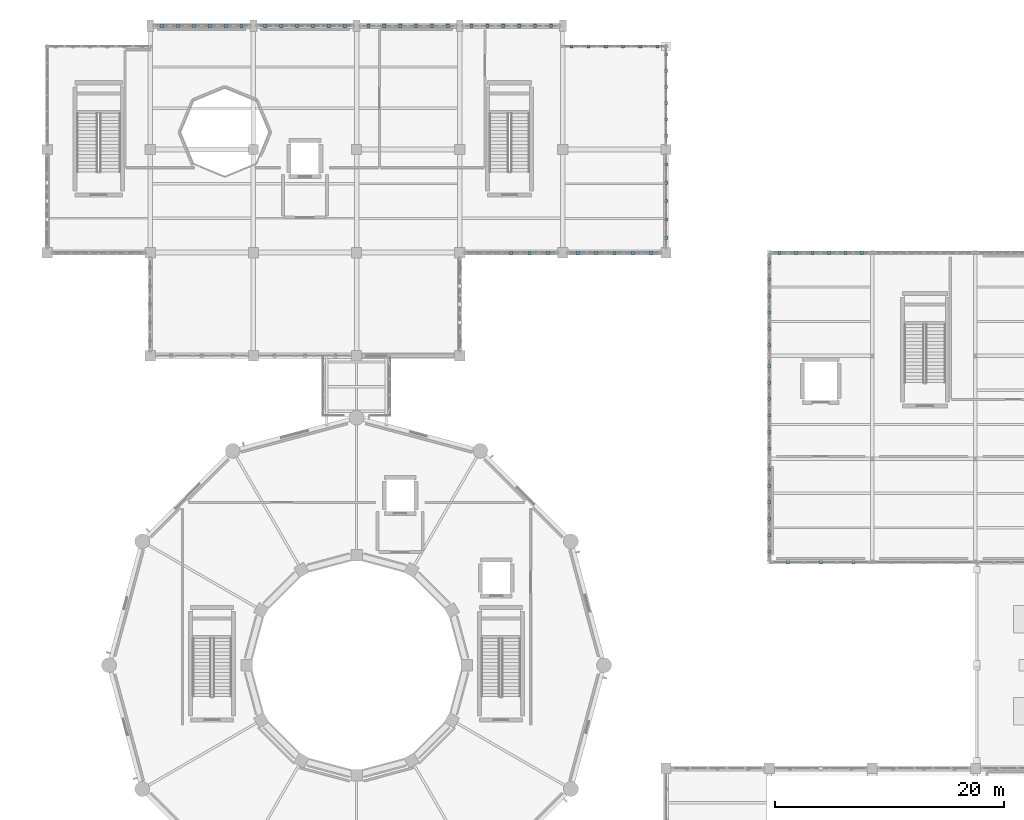
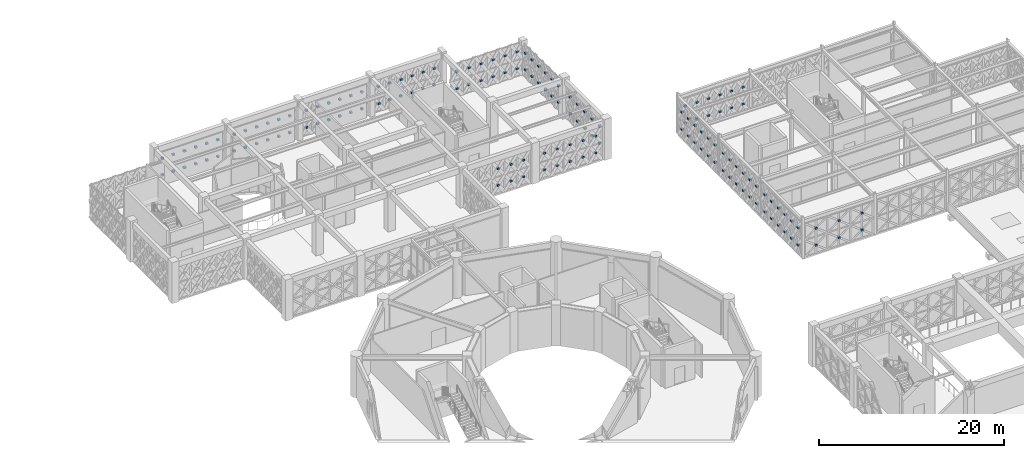
# One storey, part 143 of 155: 152 discrete accessories.
"""IFC4 building model written with IfcOpenShell, lengths in metres."""

from ifc_helpers import new_model, si_unit, direction, frame, origin, origin_2d, place, context, subcontext, project, spatial, rectangle, extrude, material, type_object, element, save


model = new_model("IFC4")

# Units and contexts
model_context = context("Model", 3, precision=1e-05, world=origin(), true_north=direction((0.0, 1.0)))
body_context = subcontext(model_context, "Body", "Model", "MODEL_VIEW")
ifc_project = project(units=[si_unit("LENGTHUNIT", "METRE"), si_unit("AREAUNIT", "SQUARE_METRE"), si_unit("VOLUMEUNIT", "CUBIC_METRE"), si_unit("PLANEANGLEUNIT", "RADIAN"), si_unit("MASSUNIT", "GRAM", prefix="KILO")], contexts=[model_context])

# Site, building, storey
site_placement = place(None, origin())
site = spatial("IfcSite", under=ifc_project, at=site_placement, CompositionType="ELEMENT")
building_placement = place(site_placement, origin())
building = spatial("IfcBuilding", under=site, at=building_placement, Name="Haizhuo Lancet Aquarium", CompositionType="ELEMENT")
storey_placement = place(building_placement, frame((0.0, 0.0, 10.800048828125)))
storey = spatial("IfcBuildingStorey", under=building, at=storey_placement, Name="L02", CompositionType="ELEMENT", Elevation=10.800048828125)

# Discrete accessories
ifc_material = material(Name="Steel S355", Category="steel")
discrete_accessory_type = type_object("IfcDiscreteAccessoryType", Name="ACC-END-CAP", PredefinedType="BRACKET", material=ifc_material)
for number, where, z_axis, x_axis, name in (
    (1, (-16.9619140625, 55.800048828125, 0.98193359375), (0.0, 0.0, 1.0), (1.0, 0.0, 0.0), "L02 X-brace crossing gusset plate XN-CW-V5-L02-147-LB01B1"),
    (2, (-16.9619140625, 55.800048828125, 3.18798828125), (0.0, 0.0, 1.0), (1.0, 0.0, 0.0), "L02 X-brace crossing gusset plate XN-CW-V5-L02-147-LB02B1"),
    (3, (-15.577880859375, 55.800048828125, 0.98193359375), (0.0, 0.0, 1.0), (1.0, 0.0, 0.0), "L02 X-brace crossing gusset plate XN-CW-V5-L02-147-LB03B1"),
    (4, (-15.577880859375, 55.800048828125, 3.18798828125), (0.0, 0.0, 1.0), (1.0, 0.0, 0.0), "L02 X-brace crossing gusset plate XN-CW-V5-L02-147-LB04B1"),
    (5, (-14.19189453125, 55.800048828125, 0.98193359375), (0.0, 0.0, 1.0), (1.0, 0.0, 0.0), "L02 X-brace crossing gusset plate XN-CW-V5-L02-147-LB05B1"),
    (6, (-14.19189453125, 55.800048828125, 3.18798828125), (0.0, 0.0, 1.0), (1.0, 0.0, 0.0), "L02 X-brace crossing gusset plate XN-CW-V5-L02-147-LB06B1"),
    (7, (-12.80810546875, 55.800048828125, 0.98193359375), (0.0, 0.0, 1.0), (1.0, 0.0, 0.0), "L02 X-brace crossing gusset plate XN-CW-V5-L02-147-LB07B1"),
    (8, (-12.80810546875, 55.800048828125, 3.18798828125), (0.0, 0.0, 1.0), (1.0, 0.0, 0.0), "L02 X-brace crossing gusset plate XN-CW-V5-L02-147-LB08B1"),
    (9, (-11.422119140625, 55.800048828125, 0.98193359375), (0.0, 0.0, 1.0), (1.0, 0.0, 0.0), "L02 X-brace crossing gusset plate XN-CW-V5-L02-147-LB09B1"),
    (10, (-11.422119140625, 55.800048828125, 3.18798828125), (0.0, 0.0, 1.0), (1.0, 0.0, 0.0), "L02 X-brace crossing gusset plate XN-CW-V5-L02-147-LB10B1"),
    (11, (-10.0380859375, 55.800048828125, 0.98193359375), (0.0, 0.0, 1.0), (1.0, 0.0, 0.0), "L02 X-brace crossing gusset plate XN-CW-V5-L02-147-LB11B1"),
    (12, (-10.0380859375, 55.800048828125, 3.18798828125), (0.0, 0.0, 1.0), (1.0, 0.0, 0.0), "L02 X-brace crossing gusset plate XN-CW-V5-L02-147-LB12B1"),
    (13, (-7.9619140625, 55.800048828125, 0.98193359375), (0.0, 0.0, 1.0), (1.0, 0.0, 0.0), "L02 X-brace crossing gusset plate XN-CW-V5-L02-148-LB01B1"),
    (14, (-7.9619140625, 55.800048828125, 3.18798828125), (0.0, 0.0, 1.0), (1.0, 0.0, 0.0), "L02 X-brace crossing gusset plate XN-CW-V5-L02-148-LB02B1"),
    (15, (-6.576904296875, 55.800048828125, 0.98193359375), (0.0, 0.0, 1.0), (1.0, 0.0, 0.0), "L02 X-brace crossing gusset plate XN-CW-V5-L02-148-LB03B1"),
    (16, (-6.576904296875, 55.800048828125, 3.18798828125), (0.0, 0.0, 1.0), (1.0, 0.0, 0.0), "L02 X-brace crossing gusset plate XN-CW-V5-L02-148-LB04B1"),
    (17, (-5.19189453125, 55.800048828125, 0.98193359375), (0.0, 0.0, 1.0), (1.0, 0.0, 0.0), "L02 X-brace crossing gusset plate XN-CW-V5-L02-148-LB05B1"),
    (18, (-5.19189453125, 55.800048828125, 3.18798828125), (0.0, 0.0, 1.0), (1.0, 0.0, 0.0), "L02 X-brace crossing gusset plate XN-CW-V5-L02-148-LB06B1"),
    (19, (-3.80810546875, 55.800048828125, 0.98193359375), (0.0, 0.0, 1.0), (1.0, 0.0, 0.0), "L02 X-brace crossing gusset plate XN-CW-V5-L02-148-LB07B1"),
    (20, (-3.80810546875, 55.800048828125, 3.18798828125), (0.0, 0.0, 1.0), (1.0, 0.0, 0.0), "L02 X-brace crossing gusset plate XN-CW-V5-L02-148-LB08B1"),
    (21, (-2.423095703125, 55.800048828125, 0.98193359375), (0.0, 0.0, 1.0), (1.0, 0.0, 0.0), "L02 X-brace crossing gusset plate XN-CW-V5-L02-148-LB09B1"),
    (22, (-2.423095703125, 55.800048828125, 3.18798828125), (0.0, 0.0, 1.0), (1.0, 0.0, 0.0), "L02 X-brace crossing gusset plate XN-CW-V5-L02-148-LB10B1"),
    (23, (-1.0380859375, 55.800048828125, 0.98193359375), (0.0, 0.0, 1.0), (1.0, 0.0, 0.0), "L02 X-brace crossing gusset plate XN-CW-V5-L02-148-LB11B1"),
    (24, (-1.0380859375, 55.800048828125, 3.18798828125), (0.0, 0.0, 1.0), (1.0, 0.0, 0.0), "L02 X-brace crossing gusset plate XN-CW-V5-L02-148-LB12B1"),
    (25, (1.0380859375, 55.800048828125, 0.98193359375), (0.0, 0.0, 1.0), (1.0, 0.0, 0.0), "L02 X-brace crossing gusset plate XN-CW-V5-L02-149-LB01B1"),
    (26, (1.0380859375, 55.800048828125, 3.18798828125), (0.0, 0.0, 1.0), (1.0, 0.0, 0.0), "L02 X-brace crossing gusset plate XN-CW-V5-L02-149-LB02B1"),
    (27, (2.423095703125, 55.800048828125, 0.98193359375), (0.0, 0.0, 1.0), (1.0, 0.0, 0.0), "L02 X-brace crossing gusset plate XN-CW-V5-L02-149-LB03B1"),
    (28, (2.423095703125, 55.800048828125, 3.18798828125), (0.0, 0.0, 1.0), (1.0, 0.0, 0.0), "L02 X-brace crossing gusset plate XN-CW-V5-L02-149-LB04B1"),
    (29, (3.80810546875, 55.800048828125, 0.98193359375), (0.0, 0.0, 1.0), (1.0, 0.0, 0.0), "L02 X-brace crossing gusset plate XN-CW-V5-L02-149-LB05B1"),
    (30, (3.80810546875, 55.800048828125, 3.18798828125), (0.0, 0.0, 1.0), (1.0, 0.0, 0.0), "L02 X-brace crossing gusset plate XN-CW-V5-L02-149-LB06B1"),
    (31, (5.19189453125, 55.800048828125, 0.98193359375), (0.0, 0.0, 1.0), (1.0, 0.0, 0.0), "L02 X-brace crossing gusset plate XN-CW-V5-L02-149-LB07B1"),
    (32, (5.19189453125, 55.800048828125, 3.18798828125), (0.0, 0.0, 1.0), (1.0, 0.0, 0.0), "L02 X-brace crossing gusset plate XN-CW-V5-L02-149-LB08B1"),
    (33, (6.576904296875, 55.800048828125, 0.98193359375), (0.0, 0.0, 1.0), (1.0, 0.0, 0.0), "L02 X-brace crossing gusset plate XN-CW-V5-L02-149-LB09B1"),
    (34, (6.576904296875, 55.800048828125, 3.18798828125), (0.0, 0.0, 1.0), (1.0, 0.0, 0.0), "L02 X-brace crossing gusset plate XN-CW-V5-L02-149-LB10B1"),
    (35, (7.9619140625, 55.800048828125, 0.98193359375), (0.0, 0.0, 1.0), (1.0, 0.0, 0.0), "L02 X-brace crossing gusset plate XN-CW-V5-L02-149-LB11B1"),
    (36, (7.9619140625, 55.800048828125, 3.18798828125), (0.0, 0.0, 1.0), (1.0, 0.0, 0.0), "L02 X-brace crossing gusset plate XN-CW-V5-L02-149-LB12B1"),
    (37, (10.0380859375, 55.800048828125, 0.98193359375), (0.0, 0.0, 1.0), (1.0, 0.0, 0.0), "L02 X-brace crossing gusset plate XN-CW-V5-L02-150-LB01B1"),
    (38, (10.0380859375, 55.800048828125, 3.18798828125), (0.0, 0.0, 1.0), (1.0, 0.0, 0.0), "L02 X-brace crossing gusset plate XN-CW-V5-L02-150-LB02B1"),
    (39, (11.422119140625, 55.800048828125, 0.98193359375), (0.0, 0.0, 1.0), (1.0, 0.0, 0.0), "L02 X-brace crossing gusset plate XN-CW-V5-L02-150-LB03B1"),
    (40, (11.422119140625, 55.800048828125, 3.18798828125), (0.0, 0.0, 1.0), (1.0, 0.0, 0.0), "L02 X-brace crossing gusset plate XN-CW-V5-L02-150-LB04B1"),
    (41, (12.80810546875, 55.800048828125, 0.98193359375), (0.0, 0.0, 1.0), (1.0, 0.0, 0.0), "L02 X-brace crossing gusset plate XN-CW-V5-L02-150-LB05B1"),
    (42, (12.80810546875, 55.800048828125, 3.18798828125), (0.0, 0.0, 1.0), (1.0, 0.0, 0.0), "L02 X-brace crossing gusset plate XN-CW-V5-L02-150-LB06B1"),
    (43, (14.19189453125, 55.800048828125, 0.98193359375), (0.0, 0.0, 1.0), (1.0, 0.0, 0.0), "L02 X-brace crossing gusset plate XN-CW-V5-L02-150-LB07B1"),
    (44, (14.19189453125, 55.800048828125, 3.18798828125), (0.0, 0.0, 1.0), (1.0, 0.0, 0.0), "L02 X-brace crossing gusset plate XN-CW-V5-L02-150-LB08B1"),
    (45, (15.577880859375, 55.800048828125, 0.98193359375), (0.0, 0.0, 1.0), (1.0, 0.0, 0.0), "L02 X-brace crossing gusset plate XN-CW-V5-L02-150-LB09B1"),
    (46, (15.577880859375, 55.800048828125, 3.18798828125), (0.0, 0.0, 1.0), (1.0, 0.0, 0.0), "L02 X-brace crossing gusset plate XN-CW-V5-L02-150-LB10B1"),
    (47, (16.9619140625, 55.800048828125, 0.98193359375), (0.0, 0.0, 1.0), (1.0, 0.0, 0.0), "L02 X-brace crossing gusset plate XN-CW-V5-L02-150-LB11B1"),
    (48, (16.9619140625, 55.800048828125, 3.18798828125), (0.0, 0.0, 1.0), (1.0, 0.0, 0.0), "L02 X-brace crossing gusset plate XN-CW-V5-L02-150-LB12B1"),
    (49, (18.75, 54.0, 0.9921875), (0.0, 0.0, 1.0), (1.0, 0.0, 0.0), "L02 X-brace crossing gusset plate XN-CW-V5-L02-151-LB01B1"),
    (50, (18.75, 54.0, 3.2138671875), (0.0, 0.0, 1.0), (1.0, 0.0, 0.0), "L02 X-brace crossing gusset plate XN-CW-V5-L02-151-LB02B1"),
    (51, (20.25, 54.0, 0.9921875), (0.0, 0.0, 1.0), (1.0, 0.0, 0.0), "L02 X-brace crossing gusset plate XN-CW-V5-L02-151-LB03B1"),
    (52, (20.25, 54.0, 3.2138671875), (0.0, 0.0, 1.0), (1.0, 0.0, 0.0), "L02 X-brace crossing gusset plate XN-CW-V5-L02-151-LB04B1"),
    (53, (21.75, 54.0, 0.9921875), (0.0, 0.0, 1.0), (1.0, 0.0, 0.0), "L02 X-brace crossing gusset plate XN-CW-V5-L02-151-LB05B1"),
    (54, (21.75, 54.0, 3.2138671875), (0.0, 0.0, 1.0), (1.0, 0.0, 0.0), "L02 X-brace crossing gusset plate XN-CW-V5-L02-151-LB06B1"),
    (55, (23.25, 54.0, 0.9921875), (0.0, 0.0, 1.0), (1.0, 0.0, 0.0), "L02 X-brace crossing gusset plate XN-CW-V5-L02-151-LB07B1"),
    (56, (23.25, 54.0, 3.2138671875), (0.0, 0.0, 1.0), (1.0, 0.0, 0.0), "L02 X-brace crossing gusset plate XN-CW-V5-L02-151-LB08B1"),
    (57, (24.75, 54.0, 0.9921875), (0.0, 0.0, 1.0), (1.0, 0.0, 0.0), "L02 X-brace crossing gusset plate XN-CW-V5-L02-151-LB09B1"),
    (58, (24.75, 54.0, 3.2138671875), (0.0, 0.0, 1.0), (1.0, 0.0, 0.0), "L02 X-brace crossing gusset plate XN-CW-V5-L02-151-LB10B1"),
    (59, (26.25, 54.0, 0.9921875), (0.0, 0.0, 1.0), (1.0, 0.0, 0.0), "L02 X-brace crossing gusset plate XN-CW-V5-L02-151-LB11B1"),
    (60, (26.25, 54.0, 3.2138671875), (0.0, 0.0, 1.0), (1.0, 0.0, 0.0), "L02 X-brace crossing gusset plate XN-CW-V5-L02-151-LB12B1"),
    (61, (27.0, 53.291015625, 0.97900390625), (0.0, 0.0, 1.0), (1.0, 0.0, 0.0), "L02 X-brace crossing gusset plate XN-CW-V5-L02-152-LB01B1"),
    (62, (27.0, 53.291015625, 3.17578125), (0.0, 0.0, 1.0), (1.0, 0.0, 0.0), "L02 X-brace crossing gusset plate XN-CW-V5-L02-152-LB02B1"),
    (63, (27.0, 51.873046875, 0.97900390625), (0.0, 0.0, 1.0), (1.0, 0.0, 0.0), "L02 X-brace crossing gusset plate XN-CW-V5-L02-152-LB03B1"),
    (64, (27.0, 51.873046875, 3.17578125), (0.0, 0.0, 1.0), (1.0, 0.0, 0.0), "L02 X-brace crossing gusset plate XN-CW-V5-L02-152-LB04B1"),
    (65, (27.0, 50.4560546875, 0.97900390625), (0.0, 0.0, 1.0), (1.0, 0.0, 0.0), "L02 X-brace crossing gusset plate XN-CW-V5-L02-152-LB05B1"),
    (66, (27.0, 50.4560546875, 3.17578125), (0.0, 0.0, 1.0), (1.0, 0.0, 0.0), "L02 X-brace crossing gusset plate XN-CW-V5-L02-152-LB06B1"),
    (67, (27.0, 49.0390625, 0.97900390625), (0.0, 0.0, 1.0), (1.0, 0.0, 0.0), "L02 X-brace crossing gusset plate XN-CW-V5-L02-152-LB07B1"),
    (68, (27.0, 49.0390625, 3.17578125), (0.0, 0.0, 1.0), (1.0, 0.0, 0.0), "L02 X-brace crossing gusset plate XN-CW-V5-L02-152-LB08B1"),
    (69, (27.0, 47.62109375, 0.97900390625), (0.0, 0.0, 1.0), (1.0, 0.0, 0.0), "L02 X-brace crossing gusset plate XN-CW-V5-L02-152-LB09B1"),
    (70, (27.0, 47.62109375, 3.17578125), (0.0, 0.0, 1.0), (1.0, 0.0, 0.0), "L02 X-brace crossing gusset plate XN-CW-V5-L02-152-LB10B1"),
    (71, (27.0, 46.202880859375, 0.97900390625), (0.0, 0.0, 1.0), (1.0, 0.0, 0.0), "L02 X-brace crossing gusset plate XN-CW-V5-L02-152-LB11B1"),
    (72, (27.0, 46.202880859375, 3.17578125), (0.0, 0.0, 1.0), (1.0, 0.0, 0.0), "L02 X-brace crossing gusset plate XN-CW-V5-L02-152-LB12B1"),
    (73, (27.0, 43.7041015625, 0.9951171875), (0.0, 0.0, 1.0), (1.0, 0.0, 0.0), "L02 X-brace crossing gusset plate XN-CW-V5-L02-153-LB01B1"),
    (74, (27.0, 43.7041015625, 3.22509765625), (0.0, 0.0, 1.0), (1.0, 0.0, 0.0), "L02 X-brace crossing gusset plate XN-CW-V5-L02-153-LB02B1"),
    (75, (27.0, 42.10205078125, 0.9951171875), (0.0, 0.0, 1.0), (1.0, 0.0, 0.0), "L02 X-brace crossing gusset plate XN-CW-V5-L02-153-LB03B1"),
    (76, (27.0, 42.10205078125, 3.22509765625), (0.0, 0.0, 1.0), (1.0, 0.0, 0.0), "L02 X-brace crossing gusset plate XN-CW-V5-L02-153-LB04B1"),
    (77, (27.0, 40.5, 0.9951171875), (0.0, 0.0, 1.0), (1.0, 0.0, 0.0), "L02 X-brace crossing gusset plate XN-CW-V5-L02-153-LB05B1"),
    (78, (27.0, 40.5, 3.22509765625), (0.0, 0.0, 1.0), (1.0, 0.0, 0.0), "L02 X-brace crossing gusset plate XN-CW-V5-L02-153-LB06B1"),
    (79, (27.0, 38.89794921875, 0.9951171875), (0.0, 0.0, 1.0), (1.0, 0.0, 0.0), "L02 X-brace crossing gusset plate XN-CW-V5-L02-153-LB07B1"),
    (80, (27.0, 38.89794921875, 3.22509765625), (0.0, 0.0, 1.0), (1.0, 0.0, 0.0), "L02 X-brace crossing gusset plate XN-CW-V5-L02-153-LB08B1"),
    (81, (27.0, 37.2958984375, 0.9951171875), (0.0, 0.0, 1.0), (1.0, 0.0, 0.0), "L02 X-brace crossing gusset plate XN-CW-V5-L02-153-LB09B1"),
    (82, (27.0, 37.2958984375, 3.22509765625), (0.0, 0.0, 1.0), (1.0, 0.0, 0.0), "L02 X-brace crossing gusset plate XN-CW-V5-L02-153-LB10B1"),
    (83, (25.7041015625, 36.0, 0.98193359375), (0.0, 0.0, 1.0), (1.0, 0.0, 0.0), "L02 X-brace crossing gusset plate XN-CW-V5-L02-154-LB01B1"),
    (84, (25.7041015625, 36.0, 3.18798828125), (0.0, 0.0, 1.0), (1.0, 0.0, 0.0), "L02 X-brace crossing gusset plate XN-CW-V5-L02-154-LB02B1"),
    (85, (24.10205078125, 36.0, 0.98193359375), (0.0, 0.0, 1.0), (1.0, 0.0, 0.0), "L02 X-brace crossing gusset plate XN-CW-V5-L02-154-LB03B1"),
    (86, (24.10205078125, 36.0, 3.18798828125), (0.0, 0.0, 1.0), (1.0, 0.0, 0.0), "L02 X-brace crossing gusset plate XN-CW-V5-L02-154-LB04B1"),
    (87, (22.5, 36.0, 0.98193359375), (0.0, 0.0, 1.0), (1.0, 0.0, 0.0), "L02 X-brace crossing gusset plate XN-CW-V5-L02-154-LB05B1"),
    (88, (22.5, 36.0, 3.18798828125), (0.0, 0.0, 1.0), (1.0, 0.0, 0.0), "L02 X-brace crossing gusset plate XN-CW-V5-L02-154-LB06B1"),
    (89, (20.89794921875, 36.0, 0.98193359375), (0.0, 0.0, 1.0), (1.0, 0.0, 0.0), "L02 X-brace crossing gusset plate XN-CW-V5-L02-154-LB07B1"),
    (90, (20.89794921875, 36.0, 3.18798828125), (0.0, 0.0, 1.0), (1.0, 0.0, 0.0), "L02 X-brace crossing gusset plate XN-CW-V5-L02-154-LB08B1"),
    (91, (19.2958984375, 36.0, 0.98193359375), (0.0, 0.0, 1.0), (1.0, 0.0, 0.0), "L02 X-brace crossing gusset plate XN-CW-V5-L02-154-LB09B1"),
    (92, (19.2958984375, 36.0, 3.18798828125), (0.0, 0.0, 1.0), (1.0, 0.0, 0.0), "L02 X-brace crossing gusset plate XN-CW-V5-L02-154-LB10B1"),
    (93, (16.7041015625, 36.0, 0.98193359375), (0.0, 0.0, 1.0), (1.0, 0.0, 0.0), "L02 X-brace crossing gusset plate XN-CW-V5-L02-155-LB01B1"),
    (94, (16.7041015625, 36.0, 3.18798828125), (0.0, 0.0, 1.0), (1.0, 0.0, 0.0), "L02 X-brace crossing gusset plate XN-CW-V5-L02-155-LB02B1"),
    (95, (15.10205078125, 36.0, 0.98193359375), (0.0, 0.0, 1.0), (1.0, 0.0, 0.0), "L02 X-brace crossing gusset plate XN-CW-V5-L02-155-LB03B1"),
    (96, (15.10205078125, 36.0, 3.18798828125), (0.0, 0.0, 1.0), (1.0, 0.0, 0.0), "L02 X-brace crossing gusset plate XN-CW-V5-L02-155-LB04B1"),
    (97, (13.5, 36.0, 0.98193359375), (0.0, 0.0, 1.0), (1.0, 0.0, 0.0), "L02 X-brace crossing gusset plate XN-CW-V5-L02-155-LB05B1"),
    (98, (13.5, 36.0, 3.18798828125), (0.0, 0.0, 1.0), (1.0, 0.0, 0.0), "L02 X-brace crossing gusset plate XN-CW-V5-L02-155-LB06B1"),
    (99, (36.9130859375, 36.0, 0.99609375), (0.0, 0.0, 1.0), (1.0, 0.0, 0.0), "L02 X-brace crossing gusset plate XN-CW-V7-L02-296-LB01B1"),
    (100, (36.9130859375, 36.0, 3.22607421875), (0.0, 0.0, 1.0), (1.0, 0.0, 0.0), "L02 X-brace crossing gusset plate XN-CW-V7-L02-296-LB02B1"),
    (101, (38.346923828125, 36.0, 0.99609375), (0.0, 0.0, 1.0), (1.0, 0.0, 0.0), "L02 X-brace crossing gusset plate XN-CW-V7-L02-296-LB03B1"),
    (102, (38.346923828125, 36.0, 3.22607421875), (0.0, 0.0, 1.0), (1.0, 0.0, 0.0), "L02 X-brace crossing gusset plate XN-CW-V7-L02-296-LB04B1"),
    (103, (39.781982421875, 36.0, 0.99609375), (0.0, 0.0, 1.0), (1.0, 0.0, 0.0), "L02 X-brace crossing gusset plate XN-CW-V7-L02-296-LB05B1"),
    (104, (39.781982421875, 36.0, 3.22607421875), (0.0, 0.0, 1.0), (1.0, 0.0, 0.0), "L02 X-brace crossing gusset plate XN-CW-V7-L02-296-LB06B1"),
    (105, (41.218017578125, 36.0, 0.99609375), (0.0, 0.0, 1.0), (1.0, 0.0, 0.0), "L02 X-brace crossing gusset plate XN-CW-V7-L02-296-LB07B1"),
    (106, (41.218017578125, 36.0, 3.22607421875), (0.0, 0.0, 1.0), (1.0, 0.0, 0.0), "L02 X-brace crossing gusset plate XN-CW-V7-L02-296-LB08B1"),
    (107, (42.653076171875, 36.0, 0.99609375), (0.0, 0.0, 1.0), (1.0, 0.0, 0.0), "L02 X-brace crossing gusset plate XN-CW-V7-L02-296-LB09B1"),
    (108, (42.653076171875, 36.0, 3.22607421875), (0.0, 0.0, 1.0), (1.0, 0.0, 0.0), "L02 X-brace crossing gusset plate XN-CW-V7-L02-296-LB10B1"),
    (109, (44.0869140625, 36.0, 0.99609375), (0.0, 0.0, 1.0), (1.0, 0.0, 0.0), "L02 X-brace crossing gusset plate XN-CW-V7-L02-296-LB11B1"),
    (110, (44.0869140625, 36.0, 3.22607421875), (0.0, 0.0, 1.0), (1.0, 0.0, 0.0), "L02 X-brace crossing gusset plate XN-CW-V7-L02-296-LB12B1"),
    (111, (43.3701171875, 9.0, 0.99609375), (0.0, 0.0, 1.0), (1.0, 0.0, 0.0), "L02 X-brace crossing gusset plate XN-CW-V7-L02-308-LB01B1"),
    (112, (43.3701171875, 9.0, 3.22607421875), (0.0, 0.0, 1.0), (1.0, 0.0, 0.0), "L02 X-brace crossing gusset plate XN-CW-V7-L02-308-LB02B1"),
    (113, (40.5, 9.0, 0.99609375), (0.0, 0.0, 1.0), (1.0, 0.0, 0.0), "L02 X-brace crossing gusset plate XN-CW-V7-L02-308-LB03B1"),
    (114, (40.5, 9.0, 3.22607421875), (0.0, 0.0, 1.0), (1.0, 0.0, 0.0), "L02 X-brace crossing gusset plate XN-CW-V7-L02-308-LB04B1"),
    (115, (37.6298828125, 9.0, 0.99609375), (0.0, 0.0, 1.0), (1.0, 0.0, 0.0), "L02 X-brace crossing gusset plate XN-CW-V7-L02-308-LB05B1"),
    (116, (37.6298828125, 9.0, 3.22607421875), (0.0, 0.0, 1.0), (1.0, 0.0, 0.0), "L02 X-brace crossing gusset plate XN-CW-V7-L02-308-LB06B1"),
    (117, (36.0, 9.9130859375, 1.02099609375), (0.0, 0.0, 1.0), (1.0, 0.0, 0.0), "L02 X-brace crossing gusset plate XN-CW-V7-L02-309-LB01B1"),
    (118, (36.0, 9.9130859375, 3.30078125), (0.0, 0.0, 1.0), (1.0, 0.0, 0.0), "L02 X-brace crossing gusset plate XN-CW-V7-L02-309-LB02B1"),
    (119, (36.0, 11.347900390625, 1.02099609375), (0.0, 0.0, 1.0), (1.0, 0.0, 0.0), "L02 X-brace crossing gusset plate XN-CW-V7-L02-309-LB03B1"),
    (120, (36.0, 11.347900390625, 3.30078125), (0.0, 0.0, 1.0), (1.0, 0.0, 0.0), "L02 X-brace crossing gusset plate XN-CW-V7-L02-309-LB04B1"),
    (121, (36.0, 12.781982421875, 1.02099609375), (0.0, 0.0, 1.0), (1.0, 0.0, 0.0), "L02 X-brace crossing gusset plate XN-CW-V7-L02-309-LB05B1"),
    (122, (36.0, 12.781982421875, 3.30078125), (0.0, 0.0, 1.0), (1.0, 0.0, 0.0), "L02 X-brace crossing gusset plate XN-CW-V7-L02-309-LB06B1"),
    (123, (36.0, 14.218017578125, 1.02099609375), (0.0, 0.0, 1.0), (1.0, 0.0, 0.0), "L02 X-brace crossing gusset plate XN-CW-V7-L02-309-LB07B1"),
    (124, (36.0, 14.218017578125, 3.30078125), (0.0, 0.0, 1.0), (1.0, 0.0, 0.0), "L02 X-brace crossing gusset plate XN-CW-V7-L02-309-LB08B1"),
    (125, (36.0, 15.652099609375, 1.02099609375), (0.0, 0.0, 1.0), (1.0, 0.0, 0.0), "L02 X-brace crossing gusset plate XN-CW-V7-L02-309-LB09B1"),
    (126, (36.0, 15.652099609375, 3.30078125), (0.0, 0.0, 1.0), (1.0, 0.0, 0.0), "L02 X-brace crossing gusset plate XN-CW-V7-L02-309-LB10B1"),
    (127, (36.0, 17.0869140625, 1.02099609375), (0.0, 0.0, 1.0), (1.0, 0.0, 0.0), "L02 X-brace crossing gusset plate XN-CW-V7-L02-309-LB11B1"),
    (128, (36.0, 17.0869140625, 3.30078125), (0.0, 0.0, 1.0), (1.0, 0.0, 0.0), "L02 X-brace crossing gusset plate XN-CW-V7-L02-309-LB12B1"),
    (129, (36.0, 18.9130859375, 1.02099609375), (0.0, 0.0, 1.0), (1.0, 0.0, 0.0), "L02 X-brace crossing gusset plate XN-CW-V7-L02-310-LB01B1"),
    (130, (36.0, 18.9130859375, 3.30078125), (0.0, 0.0, 1.0), (1.0, 0.0, 0.0), "L02 X-brace crossing gusset plate XN-CW-V7-L02-310-LB02B1"),
    (131, (36.0, 20.347900390625, 1.02099609375), (0.0, 0.0, 1.0), (1.0, 0.0, 0.0), "L02 X-brace crossing gusset plate XN-CW-V7-L02-310-LB03B1"),
    (132, (36.0, 20.347900390625, 3.30078125), (0.0, 0.0, 1.0), (1.0, 0.0, 0.0), "L02 X-brace crossing gusset plate XN-CW-V7-L02-310-LB04B1"),
    (133, (36.0, 21.781982421875, 1.02099609375), (0.0, 0.0, 1.0), (1.0, 0.0, 0.0), "L02 X-brace crossing gusset plate XN-CW-V7-L02-310-LB05B1"),
    (134, (36.0, 21.781982421875, 3.30078125), (0.0, 0.0, 1.0), (1.0, 0.0, 0.0), "L02 X-brace crossing gusset plate XN-CW-V7-L02-310-LB06B1"),
    (135, (36.0, 23.218017578125, 1.02099609375), (0.0, 0.0, 1.0), (1.0, 0.0, 0.0), "L02 X-brace crossing gusset plate XN-CW-V7-L02-310-LB07B1"),
    (136, (36.0, 23.218017578125, 3.30078125), (0.0, 0.0, 1.0), (1.0, 0.0, 0.0), "L02 X-brace crossing gusset plate XN-CW-V7-L02-310-LB08B1"),
    (137, (36.0, 24.652099609375, 1.02099609375), (0.0, 0.0, 1.0), (1.0, 0.0, 0.0), "L02 X-brace crossing gusset plate XN-CW-V7-L02-310-LB09B1"),
    (138, (36.0, 24.652099609375, 3.30078125), (0.0, 0.0, 1.0), (1.0, 0.0, 0.0), "L02 X-brace crossing gusset plate XN-CW-V7-L02-310-LB10B1"),
    (139, (36.0, 26.0869140625, 1.02099609375), (0.0, 0.0, 1.0), (1.0, 0.0, 0.0), "L02 X-brace crossing gusset plate XN-CW-V7-L02-310-LB11B1"),
    (140, (36.0, 26.0869140625, 3.30078125), (0.0, 0.0, 1.0), (1.0, 0.0, 0.0), "L02 X-brace crossing gusset plate XN-CW-V7-L02-310-LB12B1"),
    (141, (36.0, 27.9130859375, 1.02099609375), (0.0, 0.0, 1.0), (1.0, 0.0, 0.0), "L02 X-brace crossing gusset plate XN-CW-V7-L02-311-LB01B1"),
    (142, (36.0, 27.9130859375, 3.30078125), (0.0, 0.0, 1.0), (1.0, 0.0, 0.0), "L02 X-brace crossing gusset plate XN-CW-V7-L02-311-LB02B1"),
    (143, (36.0, 29.347900390625, 1.02099609375), (0.0, 0.0, 1.0), (1.0, 0.0, 0.0), "L02 X-brace crossing gusset plate XN-CW-V7-L02-311-LB03B1"),
    (144, (36.0, 29.347900390625, 3.30078125), (0.0, 0.0, 1.0), (1.0, 0.0, 0.0), "L02 X-brace crossing gusset plate XN-CW-V7-L02-311-LB04B1"),
    (145, (36.0, 30.781982421875, 1.02099609375), (0.0, 0.0, 1.0), (1.0, 0.0, 0.0), "L02 X-brace crossing gusset plate XN-CW-V7-L02-311-LB05B1"),
    (146, (36.0, 30.781982421875, 3.30078125), (0.0, 0.0, 1.0), (1.0, 0.0, 0.0), "L02 X-brace crossing gusset plate XN-CW-V7-L02-311-LB06B1"),
    (147, (36.0, 32.218017578125, 1.02099609375), (0.0, 0.0, 1.0), (1.0, 0.0, 0.0), "L02 X-brace crossing gusset plate XN-CW-V7-L02-311-LB07B1"),
    (148, (36.0, 32.218017578125, 3.30078125), (0.0, 0.0, 1.0), (1.0, 0.0, 0.0), "L02 X-brace crossing gusset plate XN-CW-V7-L02-311-LB08B1"),
    (149, (36.0, 33.653076171875, 1.02099609375), (0.0, 0.0, 1.0), (1.0, 0.0, 0.0), "L02 X-brace crossing gusset plate XN-CW-V7-L02-311-LB09B1"),
    (150, (36.0, 33.653076171875, 3.30078125), (0.0, 0.0, 1.0), (1.0, 0.0, 0.0), "L02 X-brace crossing gusset plate XN-CW-V7-L02-311-LB10B1"),
    (151, (36.0, 35.0869140625, 1.02099609375), (0.0, 0.0, 1.0), (1.0, 0.0, 0.0), "L02 X-brace crossing gusset plate XN-CW-V7-L02-311-LB11B1"),
    (152, (36.0, 35.0869140625, 3.30078125), (0.0, 0.0, 1.0), (1.0, 0.0, 0.0), "L02 X-brace crossing gusset plate XN-CW-V7-L02-311-LB12B1"),
):
    element("IfcDiscreteAccessory", number, at=place(storey_placement, frame(where, z_axis=z_axis, x_axis=x_axis)), inside=storey, type_object=discrete_accessory_type, material=ifc_material, Name=name, PredefinedType="BRACKET", context=body_context, shape_type="SweptSolid", body=[
        extrude(rectangle(XDim=0.280029296875, YDim=0.280029296875, at=origin_2d()), origin(), (0.0, 0.0, 1.0), 0.239990234375),
    ])

save(model, "model.ifc")
